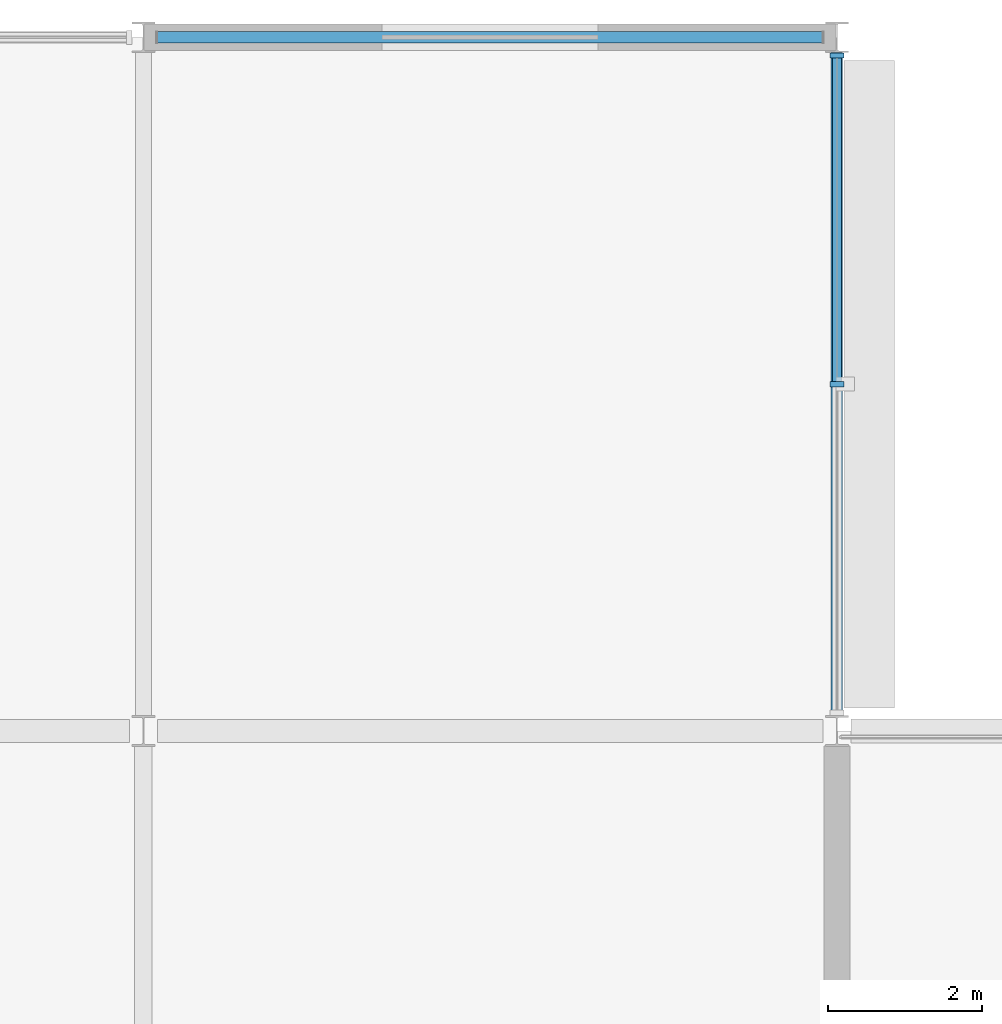
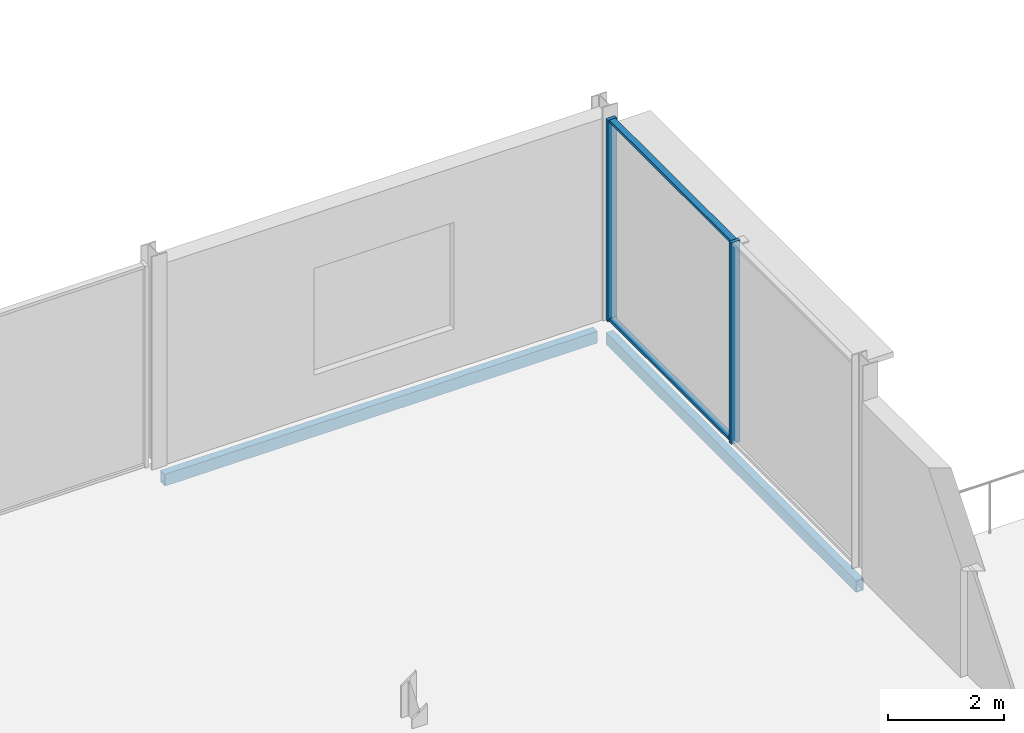
# One storey, part 23 of 73: 4 members, 2 beams, 1 element without a shape of its own.
"""IFC4 building model written with IfcOpenShell, lengths in metres."""

from ifc_helpers import new_model, si_unit, direction, frame, origin, origin_2d, place, context, subcontext, project, spatial, rectangle, hollow_rectangle, extrude, material, layer, layer_set, material_profile, profile_set, type_object, element, aggregate, save


model = new_model("IFC4")

# Units and contexts
model_context = context("Model", 3, precision=1e-05, world=origin(), true_north=direction((0.0, 1.0)))
body_context = subcontext(model_context, "Body", "Model", "MODEL_VIEW")
ifc_project = project(units=[si_unit("LENGTHUNIT", "METRE"), si_unit("AREAUNIT", "SQUARE_METRE"), si_unit("VOLUMEUNIT", "CUBIC_METRE"), si_unit("PLANEANGLEUNIT", "RADIAN"), si_unit("MASSUNIT", "GRAM", prefix="KILO")], contexts=[model_context])

# Site, building, storey
site_placement = place(None, origin())
site = spatial("IfcSite", under=ifc_project, at=site_placement, CompositionType="ELEMENT")
building_placement = place(site_placement, origin())
building = spatial("IfcBuilding", under=site, at=building_placement, Name="Kisiwana Market Hall", CompositionType="ELEMENT")
storey_placement = place(building_placement, frame((0.0, 0.0, 33.300048828125)))
storey = spatial("IfcBuildingStorey", under=building, at=storey_placement, Name="L07", CompositionType="ELEMENT", Elevation=33.300048828125)

# Beams
ifc_material_1 = material(Name="Steel S355", Category="steel")
ifc_material_profile_1 = material_profile(ifc_material_1, hollow_rectangle(XDim=0.14990234375, YDim=0.25, WallThickness=0.010009765625, at=origin_2d()), Name="RHS 250x150x10.0")
ifc_profile_set_1 = profile_set([ifc_material_profile_1], Name="Steel S355")
beam_type = type_object("IfcBeamType", Name="BM-SPAN-RHS250", PredefinedType="SPANDREL", material=ifc_profile_set_1)
beam_1_placement = place(storey_placement, frame((36.18115234375, 111.0, -0.405029296875), z_axis=(1.0, 0.0, 0.0), x_axis=(0.0, 1.0, 0.0)))
element("IfcBeam", 1, at=beam_1_placement, inside=storey, type_object=beam_type, Name="Floor beam B-2024", PredefinedType="SPANDREL", context=body_context, shape_type="SweptSolid", body=[
    extrude(hollow_rectangle(XDim=0.14990234375, YDim=0.25, WallThickness=0.010009765625, at=origin_2d()), origin(), (0.0, 0.0, 1.0), 8.6376953125),
])
beam_2_placement = place(storey_placement, frame((45.0, 102.177001953125, -0.405029296875), z_axis=(0.0, 1.0, 0.0), x_axis=(-1.0, 0.0, 0.0)))
element("IfcBeam", 2, at=beam_2_placement, inside=storey, type_object=beam_type, Name="Floor beam B-2042", PredefinedType="SPANDREL", context=body_context, shape_type="SweptSolid", body=[
    extrude(hollow_rectangle(XDim=0.14990234375, YDim=0.25, WallThickness=0.010009765625, at=origin_2d()), origin(), (0.0, 0.0, 1.0), 8.64599609375),
])

# Curtain wall, members
ifc_material_2 = material(Name="Double-glazed solar-control low-E IGU", Category="glass")
ifc_layer = layer(ifc_material_2, 0.159912109375)
ifc_layer_set = layer_set([ifc_layer], Name="CW-BRG-L07-8200")
curtain_wall_type = type_object("IfcCurtainWallType", Name="CW-BRG-L07-8200", PredefinedType="USERDEFINED", material=ifc_layer_set)
curtain_wall_placement = place(storey_placement, origin())
curtain_wall = element("IfcCurtainWall", 3, at=curtain_wall_placement, inside=storey, type_object=curtain_wall_type, Name="Unitised curtain wall CW-231 (L07)", ObjectType="UNITISED CURTAIN WALL", PredefinedType="USERDEFINED")
ifc_material_3 = material(Name="Aluminium alloy 6063-T6", Category="aluminium")
ifc_material_profile_2 = material_profile(ifc_material_3, rectangle(XDim=0.070068359375, YDim=0.179931640625, at=origin_2d()), Name="ALU MULLION 70x180")
ifc_profile_set_2 = profile_set([ifc_material_profile_2], Name="Aluminium alloy 6063-T6")
member_type_1 = type_object("IfcMemberType", Name="CW-MULL-70x180", PredefinedType="MULLION", material=ifc_profile_set_2)
member_1_placement = place(storey_placement, frame((45.0, 106.5, 0.0), z_axis=(0.0, 0.0, 1.0), x_axis=(0.0, 1.0, 0.0)))
member_1 = element("IfcMember", 4, at=member_1_placement, type_object=member_type_1, Name="CW-231 mullion 2", PredefinedType="MULLION", context=body_context, shape_type="SweptSolid", body=[
    extrude(rectangle(XDim=0.070068359375, YDim=0.179931640625, at=origin_2d()), origin(), (0.0, 0.0, 1.0), 4.2548828125),
])
member_2_placement = place(storey_placement, frame((45.0, 110.764892578125, 0.0), z_axis=(0.0, 0.0, 1.0), x_axis=(0.0, 1.0, 0.0)))
member_2 = element("IfcMember", 5, at=member_2_placement, type_object=member_type_1, Name="CW-231 mullion 3", PredefinedType="MULLION", context=body_context, shape_type="SweptSolid", body=[
    extrude(rectangle(XDim=0.070068359375, YDim=0.179931640625, at=origin_2d()), origin(), (0.0, 0.0, 1.0), 4.2548828125),
])
ifc_material_4 = material(Name="Aluminium alloy 6063-T6", Category="aluminium")
ifc_material_profile_3 = material_profile(ifc_material_4, rectangle(XDim=0.1201171875, YDim=0.06005859375, at=origin_2d()), Name="ALU TRANSOM 60x120")
ifc_profile_set_3 = profile_set([ifc_material_profile_3], Name="Aluminium alloy 6063-T6")
member_type_2 = type_object("IfcMemberType", Name="CW-TRAN-60x120", PredefinedType="USERDEFINED", material=ifc_profile_set_3)
member_3_placement = place(storey_placement, frame((45.0, 106.534912109375, 0.030029296875), z_axis=(0.0, 1.0, 0.0), x_axis=(-1.0, 0.0, 0.0)))
member_3 = element("IfcMember", 6, at=member_3_placement, type_object=member_type_2, Name="CW-231 transom 2.1", ObjectType="TRANSOM", PredefinedType="USERDEFINED", context=body_context, shape_type="SweptSolid", body=[
    extrude(rectangle(XDim=0.1201171875, YDim=0.06005859375, at=origin_2d()), origin(), (0.0, 0.0, 1.0), 4.195068359375),
])
member_4_placement = place(storey_placement, frame((45.0, 106.534912109375, 4.224853515625), z_axis=(0.0, 1.0, 0.0), x_axis=(-1.0, 0.0, 0.0)))
member_4 = element("IfcMember", 7, at=member_4_placement, type_object=member_type_2, Name="CW-231 transom 2.2", ObjectType="TRANSOM", PredefinedType="USERDEFINED", context=body_context, shape_type="SweptSolid", body=[
    extrude(rectangle(XDim=0.1201171875, YDim=0.06005859375, at=origin_2d()), origin(), (0.0, 0.0, 1.0), 4.195068359375),
])
aggregate(curtain_wall, [member_1, member_2, member_3, member_4])

save(model, "model.ifc")
